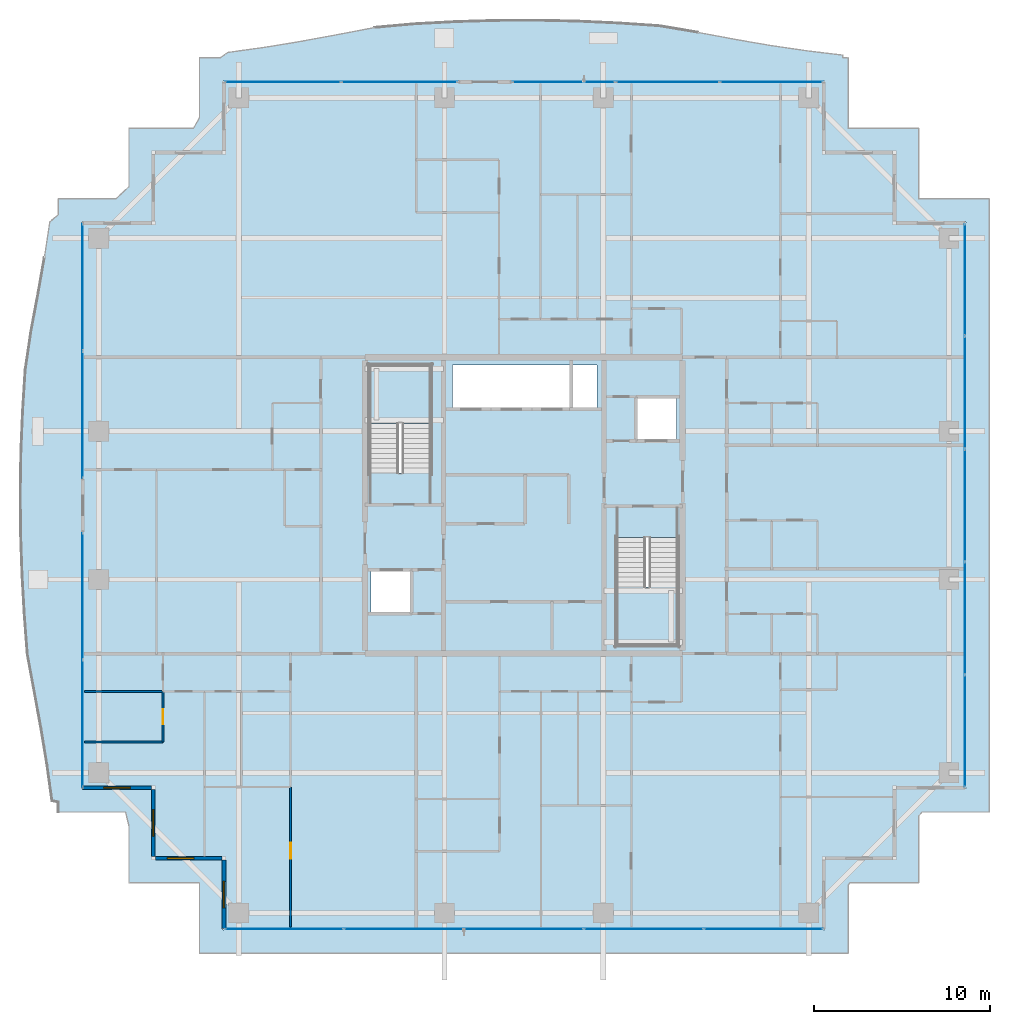
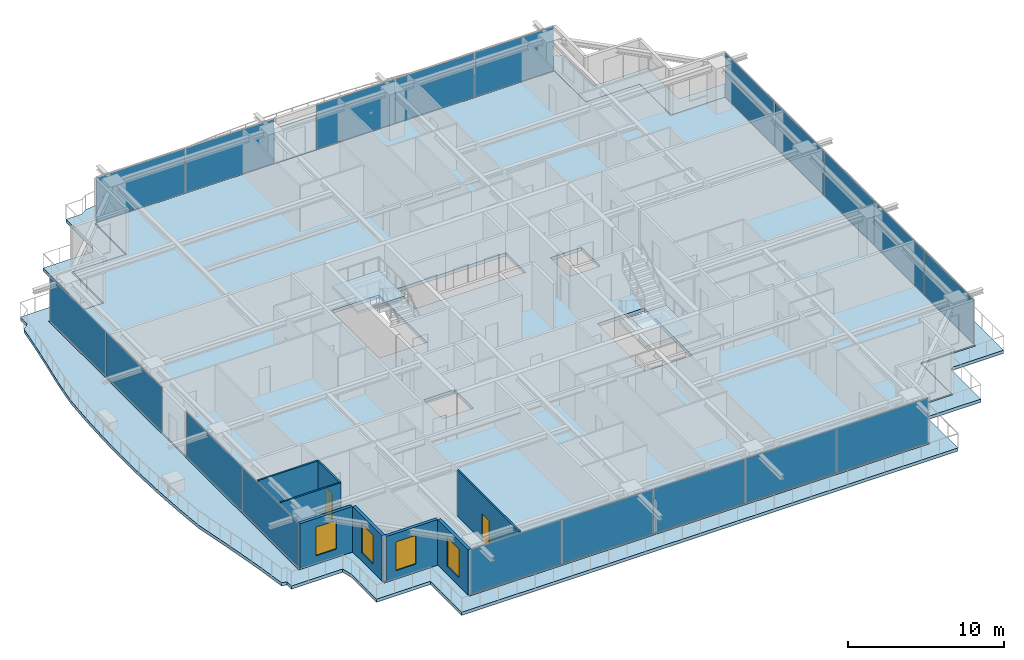
# One storey, part 26 of 40: 19 plates, 8 walls, 4 slabs, 4 windows, 2 doors, 6 openings, 8 elements without a shape of their own.
"""IFC4 building model written with IfcOpenShell, lengths in metres."""

from ifc_helpers import new_model, si_unit, direction, frame, frame_2d, origin, origin_2d, place, context, subcontext, project, spatial, polyline, rectangle, outline, extrude, source, transform, mapped, material, layer, layer_set, type_object, element, fill, aggregate, save


model = new_model("IFC4")

# Units and contexts
model_context = context("Model", 3, precision=1e-05, world=origin(), true_north=direction((0.0, 1.0)))
body_context = subcontext(model_context, "Body", "Model", "MODEL_VIEW")
ifc_project = project(units=[si_unit("LENGTHUNIT", "METRE"), si_unit("AREAUNIT", "SQUARE_METRE"), si_unit("VOLUMEUNIT", "CUBIC_METRE"), si_unit("PLANEANGLEUNIT", "RADIAN"), si_unit("MASSUNIT", "GRAM", prefix="KILO")], contexts=[model_context])

# Site, building, storey
site_placement = place(None, origin())
site = spatial("IfcSite", under=ifc_project, at=site_placement, CompositionType="ELEMENT")
building_placement = place(site_placement, origin())
building = spatial("IfcBuilding", under=site, at=building_placement, Name="Serunith Strait Residences", CompositionType="ELEMENT")
storey_placement = place(building_placement, frame((0.0, 0.0, 252.800048828125)))
storey = spatial("IfcBuildingStorey", under=building, at=storey_placement, Name="L63", CompositionType="ELEMENT", Elevation=252.800048828125)

# Slab
ifc_material_1 = material(Name="Concrete C50/60", Category="concrete")
ifc_layer_1 = layer(ifc_material_1, 0.239990234375, Name="Concrete C50/60")
ifc_layer_set_1 = layer_set([ifc_layer_1], Name="Concrete C50/60")
slab_type_1 = type_object("IfcSlabType", Name="SLB-BALC-240", PredefinedType="FLOOR", material=ifc_layer_set_1)
slab_1_placement = place(storey_placement, frame((0.0, 0.0, -0.2900390625)))
element("IfcSlab", 1, at=slab_1_placement, inside=storey, type_object=slab_type_1, Name="L63 Planted Vertical-Forest Balcony Slab", PredefinedType="FLOOR", context=body_context, shape_type="SweptSolid", body=[
    extrude(outline(polyline([(6.02001953125, 7.820068359375), (6.02001953125, 8.386474609375), (5.66552734375, 8.4462890625), (5.383056640625, 10.4755859375), (5.046630859375, 12.5263671875), (4.666748046875, 14.615234375), (4.267333984375, 16.76025390625), (4.095947265625, 19.020263671875), (3.967529296875, 21.314208984375), (3.888916015625, 23.6318359375), (3.867919921875, 25.9609375), (3.90673828125, 28.286865234375), (4.00244140625, 30.595458984375), (4.14599609375, 32.87548828125), (4.47119140625, 35.068115234375), (4.865478515625, 37.177490234375), (5.225830078125, 39.239990234375), (5.535400390625, 41.27392578125), (6.02001953125, 41.681884765625), (6.02001953125, 42.580078125), (9.281005859375, 42.580078125), (10.02001953125, 43.266845703125), (10.02001953125, 46.580078125), (13.684326171875, 46.580078125), (14.02001953125, 47.18701171875), (14.02001953125, 50.580078125), (15.212890625, 50.580078125), (15.63916015625, 50.876220703125), (17.6650390625, 51.155029296875), (19.710693359375, 51.4912109375), (21.794677734375, 51.87548828125), (23.9365234375, 52.282958984375), (26.1943359375, 52.486083984375), (28.498046875, 52.609130859375), (30.82568359375, 52.678955078125), (33.16357421875, 52.688720703125), (35.49609375, 52.63720703125), (37.80908203125, 52.530029296875), (40.090576171875, 52.376708984375), (42.267822265625, 52.010498046875), (44.369384765625, 51.614990234375), (46.426025390625, 51.26123046875), (48.45703125, 50.962890625), (50.47802734375, 50.721923828125), (50.476806640625, 50.580078125), (50.780029296875, 50.580078125), (50.780029296875, 46.580078125), (54.780029296875, 46.580078125), (54.780029296875, 42.580078125), (58.780029296875, 42.580078125), (58.780029296875, 7.820068359375), (54.97509765625, 7.820068359375), (54.780029296875, 7.597900390625), (54.780029296875, 3.820068359375), (50.881103515625, 3.820068359375), (50.780029296875, 3.665283203125), (50.780029296875, -0.179931640625), (14.02001953125, -0.179931640625), (14.02001953125, 3.820068359375), (10.02001953125, 3.820068359375), (10.02001953125, 7.029052734375), (9.827880859375, 7.820068359375), (6.02001953125, 7.820068359375)]), holes=[polyline([(49.455078125, 1.14501953125), (49.455078125, 5.14501953125), (53.455078125, 5.14501953125), (53.455078125, 9.14501953125), (57.455078125, 9.14501953125), (57.455078125, 41.2548828125), (53.455078125, 41.2548828125), (53.455078125, 45.2548828125), (49.455078125, 45.2548828125), (49.455078125, 49.2548828125), (15.344970703125, 49.2548828125), (15.344970703125, 45.2548828125), (11.344970703125, 45.2548828125), (11.344970703125, 41.2548828125), (7.344970703125, 41.2548828125), (7.344970703125, 9.14501953125), (11.344970703125, 9.14501953125), (11.344970703125, 5.14501953125), (15.344970703125, 5.14501953125), (15.344970703125, 1.14501953125), (49.455078125, 1.14501953125)])]), origin(), (0.0, 0.0, 1.0), 0.239990234375),
])

# Stair, slab
stair_type_1 = type_object("IfcStairType", Name="STR-CORE-1", PredefinedType="HALF_TURN_STAIR", material=ifc_material_1)
stair_1_placement = place(storey_placement, origin())
stair_1 = element("IfcStair", 2, at=stair_1_placement, inside=storey, type_object=stair_type_1, Name="L63 Protected Escape Stair ST-1", PredefinedType="HALF_TURN_STAIR")
ifc_layer_2 = layer(ifc_material_1, 0.199951171875, Name="Concrete C50/60")
ifc_layer_set_2 = layer_set([ifc_layer_2], Name="Concrete C50/60")
slab_type_2 = type_object("IfcSlabType", Name="SLB-LAND-200", PredefinedType="LANDING", material=ifc_layer_set_2)
slab_2_placement = place(storey_placement, frame((0.0, 0.0, 1.724853515625)))
slab_2 = element("IfcSlab", 3, at=slab_2_placement, type_object=slab_type_2, Name="ST-1 landing 1", PredefinedType="LANDING", context=body_context, shape_type="SweptSolid", body=[
    extrude(outline(polyline([(27.14990234375, 29.830078125), (27.14990234375, 33.14990234375), (23.64990234375, 33.14990234375), (23.64990234375, 29.830078125), (27.14990234375, 29.830078125)])), origin(), (0.0, 0.0, 1.0), 0.2001953125),
])
aggregate(stair_1, [slab_2])

stair_type_2 = type_object("IfcStairType", Name="STR-CORE-2", PredefinedType="HALF_TURN_STAIR", material=ifc_material_1)
stair_2_placement = place(storey_placement, origin())
stair_2 = element("IfcStair", 4, at=stair_2_placement, inside=storey, type_object=stair_type_2, Name="L63 Protected Escape Stair ST-2", PredefinedType="HALF_TURN_STAIR")
slab_3_placement = place(storey_placement, frame((0.0, 0.0, 1.724853515625)))
slab_3 = element("IfcSlab", 5, at=slab_3_placement, type_object=slab_type_2, Name="ST-2 landing 1", PredefinedType="LANDING", context=body_context, shape_type="SweptSolid", body=[
    extrude(outline(polyline([(37.64990234375, 20.570068359375), (37.64990234375, 17.25), (41.14990234375, 17.25), (41.14990234375, 20.570068359375), (37.64990234375, 20.570068359375)])), origin(), (0.0, 0.0, 1.0), 0.2001953125),
])
aggregate(stair_2, [slab_3])

# Slab
ifc_material_2 = material(Name="Concrete C60/75", Category="concrete")
ifc_layer_3 = layer(ifc_material_2, 0.260009765625, Name="Concrete C60/75")
ifc_layer_set_3 = layer_set([ifc_layer_3], Name="Concrete C60/75")
slab_type_3 = type_object("IfcSlabType", Name="SLB-TWR-275-Z3", PredefinedType="FLOOR", material=ifc_layer_set_3)
slab_4_placement = place(storey_placement, frame((0.0, 0.0, -0.260009765625)))
element("IfcSlab", 6, at=slab_4_placement, inside=storey, type_object=slab_type_3, Name="L63 Structural Floor Plate", PredefinedType="FLOOR", context=body_context, shape_type="SweptSolid", body=[
    extrude(outline(polyline([(15.39990234375, 5.199951171875), (11.39990234375, 5.199951171875), (11.39990234375, 9.199951171875), (7.39990234375, 9.199951171875), (7.39990234375, 41.199951171875), (11.39990234375, 41.199951171875), (11.39990234375, 45.199951171875), (15.39990234375, 45.199951171875), (15.39990234375, 49.199951171875), (49.39990234375, 49.199951171875), (49.39990234375, 45.199951171875), (53.39990234375, 45.199951171875), (53.39990234375, 41.199951171875), (57.39990234375, 41.199951171875), (57.39990234375, 9.199951171875), (53.39990234375, 9.199951171875), (53.39990234375, 5.199951171875), (49.39990234375, 5.199951171875), (49.39990234375, 1.199951171875), (15.39990234375, 1.199951171875), (15.39990234375, 5.199951171875)]), holes=[polyline([(41.14990234375, 23.3701171875), (37.64990234375, 23.3701171875), (37.64990234375, 17.25), (41.14990234375, 17.25), (41.14990234375, 23.3701171875)]), polyline([(38.75, 31.25), (38.75, 28.85009765625), (41.050048828125, 28.85009765625), (41.050048828125, 31.25), (38.75, 31.25)]), polyline([(36.550048828125, 33.14990234375), (28.35009765625, 33.14990234375), (28.35009765625, 30.64990234375), (36.550048828125, 30.64990234375), (36.550048828125, 33.14990234375)]), polyline([(23.64990234375, 33.14990234375), (23.64990234375, 27.030029296875), (27.14990234375, 27.030029296875), (27.14990234375, 33.14990234375), (23.64990234375, 33.14990234375)]), polyline([(23.75, 21.550048828125), (23.75, 19.14990234375), (26.050048828125, 19.14990234375), (26.050048828125, 21.550048828125), (23.75, 21.550048828125)])]), origin(), (0.0, 0.0, 1.0), 0.260009765625),
])

# Curtain wall, plates
ifc_material_3 = material(Name="Pale-Champagne Anodised Aluminium", Category="aluminium")
ifc_layer_4 = layer(ifc_material_3, 0.199951171875, Name="Pale-Champagne Anodised Aluminium")
ifc_layer_set_4 = layer_set([ifc_layer_4], Name="Pale-Champagne Anodised Aluminium")
curtain_wall_type = type_object("IfcCurtainWallType", Name="CW-SYS4", PredefinedType="NOTDEFINED", material=ifc_layer_set_4)
curtain_wall_1_placement = place(storey_placement, origin())
curtain_wall_1 = element("IfcCurtainWall", 7, at=curtain_wall_1_placement, inside=storey, type_object=curtain_wall_type, Name="L63 E Unitised Fritted Curtain Wall", PredefinedType="NOTDEFINED")
ifc_material_4 = material(Name="Ceramic-Printed Solar-Control Glazing 28mm", Category="glass")
ifc_layer_5 = layer(ifc_material_4, 0.028076171875, Name="Ceramic-Printed Solar-Control Glazing 28mm")
ifc_layer_set_5 = layer_set([ifc_layer_5], Name="Ceramic-Printed Solar-Control Glazing 28mm")
plate_type = type_object("IfcPlateType", Name="CW-SYS4-PNL", PredefinedType="CURTAIN_PANEL", material=ifc_layer_set_5)
shared_shape_1 = source(origin(), body_context, "Body", "SweptSolid", [
    extrude(rectangle(XDim=6.302490234375, YDim=0.028076171875, at=origin_2d()), origin(), (0.0, 0.0, 1.0), 3.455078125),
])
plate_1_placement = place(storey_placement, frame((57.39990234375, 12.416259765625, 0.059814453125), z_axis=(0.0, 0.0, 1.0), x_axis=(0.0, 1.0, 0.0)))
plate_1 = element("IfcPlate", 8, at=plate_1_placement, type_object=plate_type, Name="CW-4 panel 1.1", PredefinedType="CURTAIN_PANEL", context=body_context, shape_type="MappedRepresentation", body=[
    mapped(shared_shape_1, transform((0.0, 0.0, 0.0), scale=1.0)),
])
plate_2_placement = place(storey_placement, frame((57.39990234375, 37.983642578125, 0.059814453125), z_axis=(0.0, 0.0, 1.0), x_axis=(0.0, 1.0, 0.0)))
plate_2 = element("IfcPlate", 9, at=plate_2_placement, type_object=plate_type, Name="CW-4 panel 5.1", PredefinedType="CURTAIN_PANEL", context=body_context, shape_type="MappedRepresentation", body=[
    mapped(shared_shape_1, transform((0.0, 0.0, 0.0), scale=1.0)),
])
shared_shape_2 = source(origin(), body_context, "Body", "SweptSolid", [
    extrude(rectangle(XDim=6.3349609375, YDim=0.028076171875, at=origin_2d()), origin(), (0.0, 0.0, 1.0), 3.455078125),
])
plate_3_placement = place(storey_placement, frame((57.39990234375, 18.800048828125, 0.059814453125), z_axis=(0.0, 0.0, 1.0), x_axis=(0.0, 1.0, 0.0)))
plate_3 = element("IfcPlate", 10, at=plate_3_placement, type_object=plate_type, Name="CW-4 panel 2.1", PredefinedType="CURTAIN_PANEL", context=body_context, shape_type="MappedRepresentation", body=[
    mapped(shared_shape_2, transform((0.0, 0.0, 0.0), scale=1.0)),
])
plate_4_placement = place(storey_placement, frame((57.39990234375, 25.199951171875, 0.059814453125), z_axis=(0.0, 0.0, 1.0), x_axis=(0.0, 1.0, 0.0)))
plate_4 = element("IfcPlate", 11, at=plate_4_placement, type_object=plate_type, Name="CW-4 panel 3.1", PredefinedType="CURTAIN_PANEL", context=body_context, shape_type="MappedRepresentation", body=[
    mapped(shared_shape_2, transform((0.0, 0.0, 0.0), scale=1.0)),
])
plate_5_placement = place(storey_placement, frame((57.39990234375, 31.60009765625, 0.059814453125), z_axis=(0.0, 0.0, 1.0), x_axis=(0.0, 1.0, 0.0)))
plate_5 = element("IfcPlate", 12, at=plate_5_placement, type_object=plate_type, Name="CW-4 panel 4.1", PredefinedType="CURTAIN_PANEL", context=body_context, shape_type="MappedRepresentation", body=[
    mapped(shared_shape_2, transform((0.0, 0.0, 0.0), scale=1.0)),
])
aggregate(curtain_wall_1, [plate_1, plate_3, plate_4, plate_5, plate_2])

curtain_wall_2_placement = place(storey_placement, origin())
curtain_wall_2 = element("IfcCurtainWall", 13, at=curtain_wall_2_placement, inside=storey, type_object=curtain_wall_type, Name="L63 S Unitised Fritted Curtain Wall", PredefinedType="NOTDEFINED")
shared_shape_3 = source(origin(), body_context, "Body", "SweptSolid", [
    extrude(rectangle(XDim=6.702392578125, YDim=0.028076171875, at=origin_2d()), origin(), (0.0, 0.0, 1.0), 3.455078125),
])
plate_6_placement = place(storey_placement, frame((18.816162109375, 1.199951171875, 0.059814453125), z_axis=(0.0, 0.0, 1.0), x_axis=(1.0, 0.0, 0.0)))
plate_6 = element("IfcPlate", 14, at=plate_6_placement, type_object=plate_type, Name="CW-4 panel 1.1", PredefinedType="CURTAIN_PANEL", context=body_context, shape_type="MappedRepresentation", body=[
    mapped(shared_shape_3, transform((0.0, 0.0, 0.0), scale=1.0)),
])
plate_7_placement = place(storey_placement, frame((45.983642578125, 1.199951171875, 0.059814453125), z_axis=(0.0, 0.0, 1.0), x_axis=(1.0, 0.0, 0.0)))
plate_7 = element("IfcPlate", 15, at=plate_7_placement, type_object=plate_type, Name="CW-4 panel 5.1", PredefinedType="CURTAIN_PANEL", context=body_context, shape_type="MappedRepresentation", body=[
    mapped(shared_shape_3, transform((0.0, 0.0, 0.0), scale=1.0)),
])
shared_shape_4 = source(origin(), body_context, "Body", "SweptSolid", [
    extrude(rectangle(XDim=6.735107421875, YDim=0.028076171875, at=origin_2d()), origin(), (0.0, 0.0, 1.0), 3.455078125),
])
plate_8_placement = place(storey_placement, frame((25.60009765625, 1.199951171875, 0.059814453125), z_axis=(0.0, 0.0, 1.0), x_axis=(1.0, 0.0, 0.0)))
plate_8 = element("IfcPlate", 16, at=plate_8_placement, type_object=plate_type, Name="CW-4 panel 2.1", PredefinedType="CURTAIN_PANEL", context=body_context, shape_type="MappedRepresentation", body=[
    mapped(shared_shape_4, transform((0.0, 0.0, 0.0), scale=1.0)),
])
plate_9_placement = place(storey_placement, frame((32.39990234375, 1.199951171875, 0.059814453125), z_axis=(0.0, 0.0, 1.0), x_axis=(1.0, 0.0, 0.0)))
plate_9 = element("IfcPlate", 17, at=plate_9_placement, type_object=plate_type, Name="CW-4 panel 3.1", PredefinedType="CURTAIN_PANEL", context=body_context, shape_type="MappedRepresentation", body=[
    mapped(shared_shape_4, transform((0.0, 0.0, 0.0), scale=1.0)),
])
plate_10_placement = place(storey_placement, frame((39.199951171875, 1.199951171875, 0.059814453125), z_axis=(0.0, 0.0, 1.0), x_axis=(1.0, 0.0, 0.0)))
plate_10 = element("IfcPlate", 18, at=plate_10_placement, type_object=plate_type, Name="CW-4 panel 4.1", PredefinedType="CURTAIN_PANEL", context=body_context, shape_type="MappedRepresentation", body=[
    mapped(shared_shape_4, transform((0.0, 0.0, 0.0), scale=1.0)),
])
aggregate(curtain_wall_2, [plate_6, plate_8, plate_9, plate_10, plate_7])

curtain_wall_3_placement = place(storey_placement, origin())
curtain_wall_3 = element("IfcCurtainWall", 19, at=curtain_wall_3_placement, inside=storey, type_object=curtain_wall_type, Name="L63 W Unitised Fritted Curtain Wall", PredefinedType="NOTDEFINED")
shared_shape_5 = source(origin(), body_context, "Body", "SweptSolid", [
    extrude(rectangle(XDim=7.152587890625, YDim=0.028076171875, at=origin_2d()), origin(), (0.0, 0.0, 1.0), 3.455078125),
])
plate_11_placement = place(storey_placement, frame((7.39990234375, 37.558837890625, 0.059814453125), z_axis=(0.0, 0.0, 1.0), x_axis=(0.0, -1.0, 0.0)))
plate_11 = element("IfcPlate", 20, at=plate_11_placement, type_object=plate_type, Name="CW-4 panel 1.1", PredefinedType="CURTAIN_PANEL", context=body_context, shape_type="MappedRepresentation", body=[
    mapped(shared_shape_5, transform((0.0, 0.0, 0.0), scale=1.0)),
])
plate_12_placement = place(storey_placement, frame((7.39990234375, 30.34130859375, 0.059814453125), z_axis=(0.0, 0.0, 1.0), x_axis=(0.0, -1.0, 0.0)))
plate_12 = element("IfcPlate", 21, at=plate_12_placement, type_object=plate_type, Name="CW-4 panel 2.1", PredefinedType="CURTAIN_PANEL", context=body_context, shape_type="MappedRepresentation", body=[
    mapped(shared_shape_5, transform((0.0, 0.0, 0.0), scale=1.0)),
])
aggregate(curtain_wall_3, [plate_11, plate_12])

curtain_wall_4_placement = place(storey_placement, origin())
curtain_wall_4 = element("IfcCurtainWall", 22, at=curtain_wall_4_placement, inside=storey, type_object=curtain_wall_type, Name="L63 W Unitised Fritted Curtain Wall", PredefinedType="NOTDEFINED")
plate_13_placement = place(storey_placement, frame((7.39990234375, 20.058837890625, 0.059814453125), z_axis=(0.0, 0.0, 1.0), x_axis=(0.0, -1.0, 0.0)))
plate_13 = element("IfcPlate", 23, at=plate_13_placement, type_object=plate_type, Name="CW-4 panel 1.1", PredefinedType="CURTAIN_PANEL", context=body_context, shape_type="MappedRepresentation", body=[
    mapped(shared_shape_5, transform((0.0, 0.0, 0.0), scale=1.0)),
])
plate_14_placement = place(storey_placement, frame((7.39990234375, 12.84130859375, 0.059814453125), z_axis=(0.0, 0.0, 1.0), x_axis=(0.0, -1.0, 0.0)))
plate_14 = element("IfcPlate", 24, at=plate_14_placement, type_object=plate_type, Name="CW-4 panel 2.1", PredefinedType="CURTAIN_PANEL", context=body_context, shape_type="MappedRepresentation", body=[
    mapped(shared_shape_5, transform((0.0, 0.0, 0.0), scale=1.0)),
])
aggregate(curtain_wall_4, [plate_13, plate_14])

curtain_wall_5_placement = place(storey_placement, origin())
curtain_wall_5 = element("IfcCurtainWall", 25, at=curtain_wall_5_placement, inside=storey, type_object=curtain_wall_type, Name="L63 N Unitised Fritted Curtain Wall", PredefinedType="NOTDEFINED")
shared_shape_6 = source(origin(), body_context, "Body", "SweptSolid", [
    extrude(rectangle(XDim=6.552490234375, YDim=0.028076171875, at=origin_2d()), origin(), (0.0, 0.0, 1.0), 3.455078125),
])
plate_15_placement = place(storey_placement, frame((25.358642578125, 49.199951171875, 0.059814453125), z_axis=(0.0, 0.0, 1.0), x_axis=(-1.0, 0.0, 0.0)))
plate_15 = element("IfcPlate", 26, at=plate_15_placement, type_object=plate_type, Name="CW-4 panel 1.1", PredefinedType="CURTAIN_PANEL", context=body_context, shape_type="MappedRepresentation", body=[
    mapped(shared_shape_6, transform((0.0, 0.0, 0.0), scale=1.0)),
])
plate_16_placement = place(storey_placement, frame((18.7412109375, 49.199951171875, 0.059814453125), z_axis=(0.0, 0.0, 1.0), x_axis=(-1.0, 0.0, 0.0)))
plate_16 = element("IfcPlate", 27, at=plate_16_placement, type_object=plate_type, Name="CW-4 panel 2.1", PredefinedType="CURTAIN_PANEL", context=body_context, shape_type="MappedRepresentation", body=[
    mapped(shared_shape_6, transform((0.0, 0.0, 0.0), scale=1.0)),
])
aggregate(curtain_wall_5, [plate_15, plate_16])

curtain_wall_6_placement = place(storey_placement, origin())
curtain_wall_6 = element("IfcCurtainWall", 28, at=curtain_wall_6_placement, inside=storey, type_object=curtain_wall_type, Name="L63 N Unitised Fritted Curtain Wall", PredefinedType="NOTDEFINED")
shared_shape_7 = source(origin(), body_context, "Body", "SweptSolid", [
    extrude(rectangle(XDim=5.802490234375, YDim=0.028076171875, at=origin_2d()), origin(), (0.0, 0.0, 1.0), 3.455078125),
])
plate_17_placement = place(storey_placement, frame((46.433837890625, 49.199951171875, 0.059814453125), z_axis=(0.0, 0.0, 1.0), x_axis=(-1.0, 0.0, 0.0)))
plate_17 = element("IfcPlate", 29, at=plate_17_placement, type_object=plate_type, Name="CW-4 panel 1.1", PredefinedType="CURTAIN_PANEL", context=body_context, shape_type="MappedRepresentation", body=[
    mapped(shared_shape_7, transform((0.0, 0.0, 0.0), scale=1.0)),
])
plate_18_placement = place(storey_placement, frame((34.666259765625, 49.199951171875, 0.059814453125), z_axis=(0.0, 0.0, 1.0), x_axis=(-1.0, 0.0, 0.0)))
plate_18 = element("IfcPlate", 30, at=plate_18_placement, type_object=plate_type, Name="CW-4 panel 3.1", PredefinedType="CURTAIN_PANEL", context=body_context, shape_type="MappedRepresentation", body=[
    mapped(shared_shape_7, transform((0.0, 0.0, 0.0), scale=1.0)),
])
shared_shape_8 = source(origin(), body_context, "Body", "SweptSolid", [
    extrude(rectangle(XDim=5.8349609375, YDim=0.028076171875, at=origin_2d()), origin(), (0.0, 0.0, 1.0), 3.455078125),
])
plate_19_placement = place(storey_placement, frame((40.550048828125, 49.199951171875, 0.059814453125), z_axis=(0.0, 0.0, 1.0), x_axis=(-1.0, 0.0, 0.0)))
plate_19 = element("IfcPlate", 31, at=plate_19_placement, type_object=plate_type, Name="CW-4 panel 2.1", PredefinedType="CURTAIN_PANEL", context=body_context, shape_type="MappedRepresentation", body=[
    mapped(shared_shape_8, transform((0.0, 0.0, 0.0), scale=1.0)),
])
aggregate(curtain_wall_6, [plate_17, plate_19, plate_18])

# Wall, opening, window
ifc_material_5 = material(Name="Pale-Champagne Aluminium Insulated Panel", Category="aluminium")
ifc_layer_6 = layer(ifc_material_5, 0.219970703125, Name="Pale-Champagne Aluminium Insulated Panel")
ifc_layer_set_6 = layer_set([ifc_layer_6], Name="Pale-Champagne Aluminium Insulated Panel")
wall_type_1 = type_object("IfcWallType", Name="EW-ALUM-220", PredefinedType="ELEMENTEDWALL", material=ifc_layer_set_6)
wall_1_placement = place(storey_placement, frame((7.39990234375, 9.199951171875, 0.0), z_axis=(0.0, 0.0, 1.0), x_axis=(1.0, 0.0, 0.0)))
wall_1 = element("IfcWall", 32, at=wall_1_placement, inside=storey, type_object=wall_type_1, Name="L63 Girih Serrated Corner Wall 17", PredefinedType="ELEMENTEDWALL", context=body_context, shape_type="SweptSolid", body=[
    extrude(rectangle(XDim=3.89013671875, YDim=0.219970703125, at=frame_2d((1.945068359375, 0.0))), origin(), (0.0, 0.0, 1.0), 3.574951171875),
])
opening_1_placement = place(wall_1_placement, frame((1.195068359375, 0.0, 0.64990234375)))
opening_1 = element("IfcOpeningElement", 33, at=opening_1_placement, cuts=wall_1, Name="Opening W-05", PredefinedType="OPENING", context=body_context, shape_type="SweptSolid", body=[
    extrude(rectangle(XDim=1.5, YDim=2.25, at=frame_2d((0.75, 1.125))), frame((0.0, 0.1201171875, 0.0), z_axis=(0.0, -1.0, 0.0), x_axis=(1.0, 0.0, 0.0)), (0.0, 0.0, 1.0), 0.239990234375),
])
ifc_material_6 = material(Name="Ceramic-Fritted Operable Aluminium Window Glass", Category="aluminium")
window_type = type_object("IfcWindowType", Name="WIN-C5", PartitioningType="DOUBLE_PANEL_VERTICAL", PredefinedType="WINDOW", material=ifc_material_6)
shared_shape_9 = source(origin(), body_context, "Body", "SweptSolid", [
    extrude(rectangle(XDim=1.5, YDim=2.25, at=frame_2d((0.75, 1.125))), frame((0.0, 0.030029296875, 0.0), z_axis=(0.0, -1.0, 0.0), x_axis=(1.0, 0.0, 0.0)), (0.0, 0.0, 1.0), 0.06005859375),
])
window_1_placement = place(opening_1_placement, origin())
window_1 = element("IfcWindow", 34, at=window_1_placement, inside=storey, type_object=window_type, Name="L63 Corner Operable Fritted Window 17", OverallHeight=2.25, OverallWidth=1.5, PartitioningType="SINGLE_PANEL", PredefinedType="WINDOW", context=body_context, shape_type="MappedRepresentation", body=[
    mapped(shared_shape_9, transform((0.0, 0.0, 0.0), scale=1.0)),
])
fill(opening_1, window_1)

wall_2_placement = place(storey_placement, frame((11.39990234375, 9.090087890625, 0.0), z_axis=(0.0, 0.0, 1.0), x_axis=(0.0, -1.0, 0.0)))
wall_2 = element("IfcWall", 35, at=wall_2_placement, inside=storey, type_object=wall_type_1, Name="L63 Girih Serrated Corner Wall 18", PredefinedType="ELEMENTEDWALL", context=body_context, shape_type="SweptSolid", body=[
    extrude(rectangle(XDim=3.780029296875, YDim=0.219970703125, at=frame_2d((1.89013671875, 0.0))), origin(), (0.0, 0.0, 1.0), 3.574951171875),
])
opening_2_placement = place(wall_2_placement, frame((1.139892578125, 0.0, 0.64990234375)))
opening_2 = element("IfcOpeningElement", 36, at=opening_2_placement, cuts=wall_2, Name="Opening W-05", PredefinedType="OPENING", context=body_context, shape_type="SweptSolid", body=[
    extrude(rectangle(XDim=1.5, YDim=2.25, at=frame_2d((0.75, 1.125))), frame((0.0, 0.1201171875, 0.0), z_axis=(0.0, -1.0, 0.0), x_axis=(1.0, 0.0, 0.0)), (0.0, 0.0, 1.0), 0.239990234375),
])
window_2_placement = place(opening_2_placement, origin())
window_2 = element("IfcWindow", 37, at=window_2_placement, inside=storey, type_object=window_type, Name="L63 Corner Operable Fritted Window 18", OverallHeight=2.25, OverallWidth=1.5, PartitioningType="SINGLE_PANEL", PredefinedType="WINDOW", context=body_context, shape_type="MappedRepresentation", body=[
    mapped(shared_shape_9, transform((0.0, 0.0, 0.0), scale=1.0)),
])
fill(opening_2, window_2)

wall_3_placement = place(storey_placement, frame((11.510009765625, 5.199951171875, 0.0), z_axis=(0.0, 0.0, 1.0), x_axis=(1.0, 0.0, 0.0)))
wall_3 = element("IfcWall", 38, at=wall_3_placement, inside=storey, type_object=wall_type_1, Name="L63 Girih Serrated Corner Wall 19", PredefinedType="ELEMENTEDWALL", context=body_context, shape_type="SweptSolid", body=[
    extrude(rectangle(XDim=3.780029296875, YDim=0.219970703125, at=frame_2d((1.89013671875, 0.0))), origin(), (0.0, 0.0, 1.0), 3.574951171875),
])
opening_3_placement = place(wall_3_placement, frame((0.68408203125, 0.0, 0.64990234375)))
opening_3 = element("IfcOpeningElement", 39, at=opening_3_placement, cuts=wall_3, Name="Opening W-05", PredefinedType="OPENING", context=body_context, shape_type="SweptSolid", body=[
    extrude(rectangle(XDim=1.5, YDim=2.25, at=frame_2d((0.75, 1.125))), frame((0.0, 0.1201171875, 0.0), z_axis=(0.0, -1.0, 0.0), x_axis=(1.0, 0.0, 0.0)), (0.0, 0.0, 1.0), 0.239990234375),
])
window_3_placement = place(opening_3_placement, origin())
window_3 = element("IfcWindow", 40, at=window_3_placement, inside=storey, type_object=window_type, Name="L63 Corner Operable Fritted Window 19", OverallHeight=2.25, OverallWidth=1.5, PartitioningType="SINGLE_PANEL", PredefinedType="WINDOW", context=body_context, shape_type="MappedRepresentation", body=[
    mapped(shared_shape_9, transform((0.0, 0.0, 0.0), scale=1.0)),
])
fill(opening_3, window_3)

wall_4_placement = place(storey_placement, frame((15.39990234375, 5.090087890625, 0.0), z_axis=(0.0, 0.0, 1.0), x_axis=(0.0, -1.0, 0.0)))
wall_4 = element("IfcWall", 41, at=wall_4_placement, inside=storey, type_object=wall_type_1, Name="L63 Girih Serrated Corner Wall 20", PredefinedType="ELEMENTEDWALL", context=body_context, shape_type="SweptSolid", body=[
    extrude(rectangle(XDim=3.89013671875, YDim=0.219970703125, at=frame_2d((1.945068359375, 0.0))), origin(), (0.0, 0.0, 1.0), 3.574951171875),
])
opening_4_placement = place(wall_4_placement, frame((1.195068359375, 0.0, 0.64990234375)))
opening_4 = element("IfcOpeningElement", 42, at=opening_4_placement, cuts=wall_4, Name="Opening W-05", PredefinedType="OPENING", context=body_context, shape_type="SweptSolid", body=[
    extrude(rectangle(XDim=1.5, YDim=2.25, at=frame_2d((0.75, 1.125))), frame((0.0, 0.1201171875, 0.0), z_axis=(0.0, -1.0, 0.0), x_axis=(1.0, 0.0, 0.0)), (0.0, 0.0, 1.0), 0.239990234375),
])
window_4_placement = place(opening_4_placement, origin())
window_4 = element("IfcWindow", 43, at=window_4_placement, inside=storey, type_object=window_type, Name="L63 Corner Operable Fritted Window 20", OverallHeight=2.25, OverallWidth=1.5, PartitioningType="SINGLE_PANEL", PredefinedType="WINDOW", context=body_context, shape_type="MappedRepresentation", body=[
    mapped(shared_shape_9, transform((0.0, 0.0, 0.0), scale=1.0)),
])
fill(opening_4, window_4)

# Wall, opening, door
ifc_material_7 = material(Name="Lightweight steel-stud gypsum partition", Category="steel")
ifc_layer_7 = layer(ifc_material_7, 0.1201171875, Name="Lightweight steel-stud gypsum partition")
ifc_layer_set_7 = layer_set([ifc_layer_7], Name="Lightweight steel-stud gypsum partition")
wall_type_2 = type_object("IfcWallType", Name="IW-PART-120", PredefinedType="PARTITIONING", material=ifc_layer_set_7)
wall_5_placement = place(storey_placement, frame((19.179931640625, 1.294921875, 0.0), z_axis=(0.0, 0.0, 1.0), x_axis=(0.0, 1.0, 0.0)))
wall_5 = element("IfcWall", 44, at=wall_5_placement, inside=storey, type_object=wall_type_2, Name="L63 Partition Wall 034", PredefinedType="PARTITIONING", context=body_context, shape_type="SweptSolid", body=[
    extrude(rectangle(XDim=7.947998046875, YDim=0.1201171875, at=frame_2d((3.97412109375, 0.0))), origin(), (0.0, 0.0, 1.0), 3.58984375),
])
opening_5_placement = place(wall_5_placement, frame((3.8759765625, 0.0, 0.0)))
opening_5 = element("IfcOpeningElement", 45, at=opening_5_placement, cuts=wall_5, Name="Opening D-RM900", PredefinedType="OPENING", context=body_context, shape_type="SweptSolid", body=[
    extrude(rectangle(XDim=0.89990234375, YDim=2.10009765625, at=frame_2d((0.449951171875, 1.050048828125))), frame((0.0, 0.070068359375, 0.0), z_axis=(0.0, -1.0, 0.0), x_axis=(1.0, 0.0, 0.0)), (0.0, 0.0, 1.0), 0.14013671875),
])
ifc_material_8 = material(Name="Engineered timber flush bedroom door", Category="wood")
door_type_1 = type_object("IfcDoorType", Name="ID-ROOM-900", OperationType="NOTDEFINED", PredefinedType="DOOR", material=ifc_material_8)
shared_shape_10 = source(origin(), body_context, "Body", "SweptSolid", [
    extrude(rectangle(XDim=0.89990234375, YDim=2.10009765625, at=frame_2d((0.449951171875, 1.050048828125))), frame((0.0, 0.02490234375, 0.0), z_axis=(0.0, -1.0, 0.0), x_axis=(1.0, 0.0, 0.0)), (0.0, 0.0, 1.0), 0.050048828125),
])
door_1_placement = place(opening_5_placement, origin())
door_1 = element("IfcDoor", 46, at=door_1_placement, inside=storey, type_object=door_type_1, Name="L63 Formal Dining Room 1 6301 Door", OperationType="SINGLE_SWING_LEFT", OverallHeight=2.10009765625, OverallWidth=0.89990234375, PredefinedType="DOOR", context=body_context, shape_type="MappedRepresentation", body=[
    mapped(shared_shape_10, transform((0.0, 0.0, 0.0), scale=1.0)),
])
fill(opening_5, door_1)

# Walls
wall_6_placement = place(storey_placement, frame((7.4951171875, 11.79296875, 0.0), z_axis=(0.0, 0.0, 1.0), x_axis=(1.0, 0.0, 0.0)))
element("IfcWall", 47, at=wall_6_placement, inside=storey, type_object=wall_type_2, Name="L63 Partition Wall 042", PredefinedType="PARTITIONING", context=body_context, shape_type="SweptSolid", body=[
    extrude(rectangle(XDim=4.454833984375, YDim=0.1201171875, at=frame_2d((2.2275390625, 0.0))), origin(), (0.0, 0.0, 1.0), 3.58984375),
])
wall_7_placement = place(storey_placement, frame((7.4951171875, 14.64990234375, 0.0), z_axis=(0.0, 0.0, 1.0), x_axis=(1.0, 0.0, 0.0)))
element("IfcWall", 48, at=wall_7_placement, inside=storey, type_object=wall_type_2, Name="L63 Partition Wall 043", PredefinedType="PARTITIONING", context=body_context, shape_type="SweptSolid", body=[
    extrude(rectangle(XDim=4.452880859375, YDim=0.1201171875, at=frame_2d((2.2265625, 0.0))), origin(), (0.0, 0.0, 1.0), 3.58984375),
])

# Wall, opening, door
wall_8_placement = place(storey_placement, frame((11.949951171875, 11.79296875, 0.0), z_axis=(0.0, 0.0, 1.0), x_axis=(0.0, 1.0, 0.0)))
wall_8 = element("IfcWall", 49, at=wall_8_placement, inside=storey, type_object=wall_type_2, Name="L63 Partition Wall 044", PredefinedType="PARTITIONING", context=body_context, shape_type="SweptSolid", body=[
    extrude(rectangle(XDim=2.85693359375, YDim=0.1201171875, at=frame_2d((1.428466796875, 0.0))), origin(), (0.0, 0.0, 1.0), 3.58984375),
])
opening_6_placement = place(wall_8_placement, frame((1.00390625, 0.0, 0.0)))
opening_6 = element("IfcOpeningElement", 50, at=opening_6_placement, cuts=wall_8, Name="Opening D-BTH850", PredefinedType="OPENING", context=body_context, shape_type="SweptSolid", body=[
    extrude(rectangle(XDim=0.85009765625, YDim=2.10009765625, at=frame_2d((0.425048828125, 1.050048828125))), frame((0.0, 0.070068359375, 0.0), z_axis=(0.0, -1.0, 0.0), x_axis=(1.0, 0.0, 0.0)), (0.0, 0.0, 1.0), 0.14013671875),
])
ifc_material_9 = material(Name="Moisture-resistant timber bathroom door", Category="wood")
door_type_2 = type_object("IfcDoorType", Name="ID-BATH-850", OperationType="NOTDEFINED", PredefinedType="DOOR", material=ifc_material_9)
shared_shape_11 = source(origin(), body_context, "Body", "SweptSolid", [
    extrude(rectangle(XDim=0.85009765625, YDim=2.10009765625, at=frame_2d((0.425048828125, 1.050048828125))), frame((0.0, 0.02490234375, 0.0), z_axis=(0.0, -1.0, 0.0), x_axis=(1.0, 0.0, 0.0)), (0.0, 0.0, 1.0), 0.050048828125),
])
door_2_placement = place(opening_6_placement, origin())
door_2 = element("IfcDoor", 51, at=door_2_placement, inside=storey, type_object=door_type_2, Name="L63 En-suite Bathroom W 6301 Door", OperationType="SINGLE_SWING_LEFT", OverallHeight=2.10009765625, OverallWidth=0.85009765625, PredefinedType="DOOR", context=body_context, shape_type="MappedRepresentation", body=[
    mapped(shared_shape_11, transform((0.0, 0.0, 0.0), scale=1.0)),
])
fill(opening_6, door_2)

save(model, "model.ifc")
